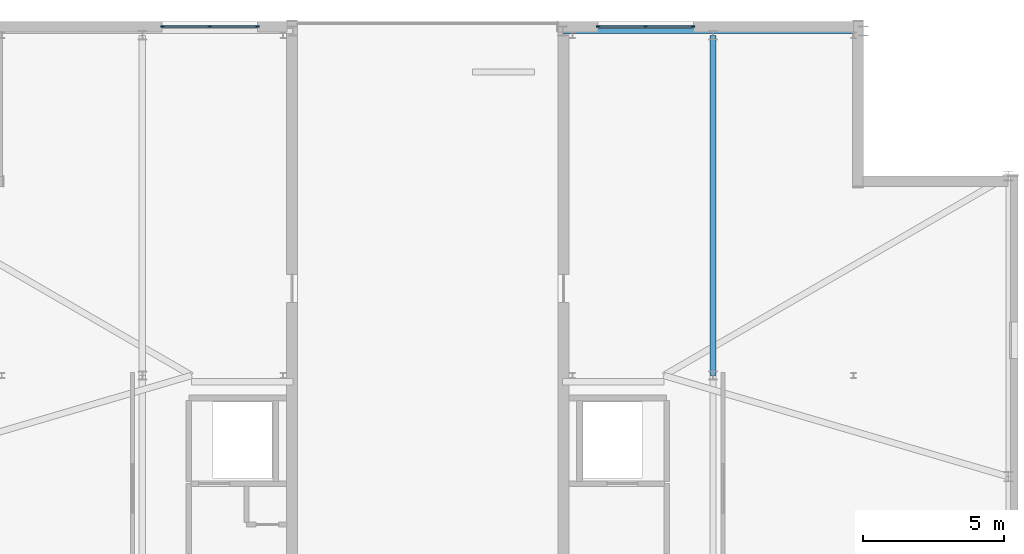
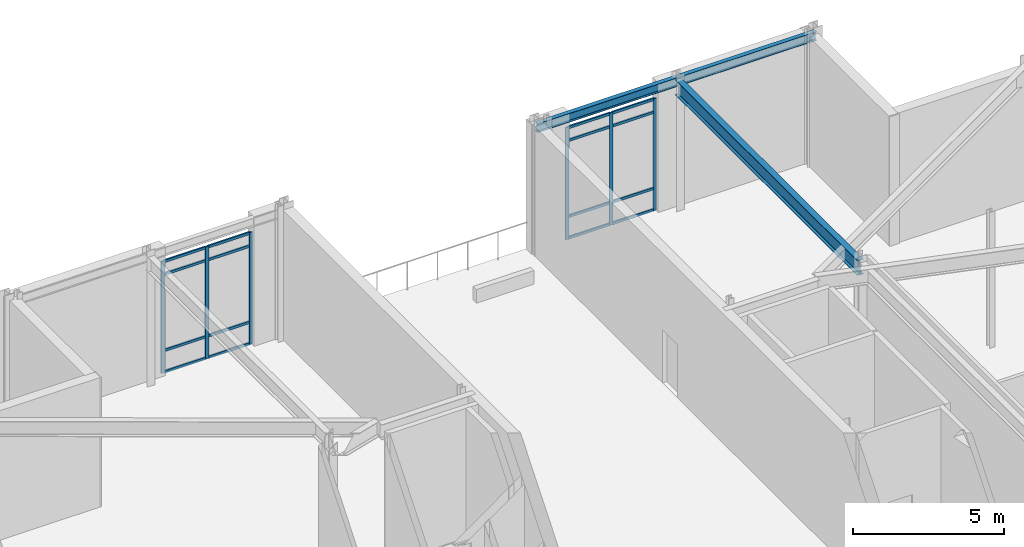
# One storey, part 10 of 16: 22 members, 2 beams, 2 elements without a shape of their own.
"""IFC4 building model written with IfcOpenShell, lengths in metres."""

from ifc_helpers import new_model, si_unit, direction, frame, origin, origin_2d, place, context, subcontext, project, spatial, rectangle, i_section, extrude, material, layer, layer_set, material_profile, profile_set, type_object, element, aggregate, save


model = new_model("IFC4")

# Units and contexts
model_context = context("Model", 3, precision=1e-05, world=origin(), true_north=direction((0.0, 1.0)))
body_context = subcontext(model_context, "Body", "Model", "MODEL_VIEW")
ifc_project = project(units=[si_unit("LENGTHUNIT", "METRE"), si_unit("AREAUNIT", "SQUARE_METRE"), si_unit("VOLUMEUNIT", "CUBIC_METRE"), si_unit("PLANEANGLEUNIT", "RADIAN"), si_unit("MASSUNIT", "GRAM", prefix="KILO")], contexts=[model_context])

# Site, building, storey
site_placement = place(None, origin())
site = spatial("IfcSite", under=ifc_project, at=site_placement, CompositionType="ELEMENT")
building_placement = place(site_placement, origin())
building = spatial("IfcBuilding", under=site, at=building_placement, Name="Cairnveth Concourse Tower", CompositionType="ELEMENT")
storey_placement = place(building_placement, frame((0.0, 0.0, 324.5)))
storey = spatial("IfcBuildingStorey", under=building, at=storey_placement, Name="L89", CompositionType="ELEMENT", Elevation=324.5)

# Curtain wall, members
ifc_material_1 = material(Name="Architectural Bronze Anodised Aluminium 6063-T6", Category="aluminium")
ifc_layer = layer(ifc_material_1, 0.320068359375)
ifc_layer_set = layer_set([ifc_layer], Name="Architectural Bronze Anodised Aluminium 6063-T6")
curtain_wall_type = type_object("IfcCurtainWallType", Name="CROWN LANTERN GABLE CURTAIN WALL", PredefinedType="USERDEFINED", material=ifc_layer_set)
curtain_wall_1_placement = place(storey_placement, origin())
curtain_wall_1 = element("IfcCurtainWall", 1, at=curtain_wall_1_placement, inside=storey, type_object=curtain_wall_type, Name="Curtain Wall CW-L89-CROWN-W5", ObjectType="SHOPFRONT GLAZING", PredefinedType="USERDEFINED")
ifc_material_profile_1 = material_profile(ifc_material_1, rectangle(XDim=0.06005859375, YDim=0.135009765625, at=origin_2d()), Name="AL-MUL-60x135")
ifc_profile_set_1 = profile_set([ifc_material_profile_1], Name="Architectural Bronze Anodised Aluminium 6063-T6")
member_type_1 = type_object("IfcMemberType", Name="BRONZE CURTAIN WALL MULLION AL-MUL-60x135", PredefinedType="MULLION", material=ifc_profile_set_1)
member_1_placement = place(storey_placement, frame((42.56494140625, 59.81005859375, 0.0), z_axis=(0.0, 0.0, 1.0), x_axis=(0.0, 1.0, 0.0)))
member_1 = element("IfcMember", 2, at=member_1_placement, type_object=member_type_1, Name="CWS6 mullion 1", PredefinedType="MULLION", context=body_context, shape_type="SweptSolid", body=[
    extrude(rectangle(XDim=0.06005859375, YDim=0.135009765625, at=origin_2d()), origin(), (0.0, 0.0, 1.0), 4.5380859375),
])
member_2_placement = place(storey_placement, frame((44.25, 59.81005859375, 0.0), z_axis=(0.0, 0.0, 1.0), x_axis=(0.0, 1.0, 0.0)))
member_2 = element("IfcMember", 3, at=member_2_placement, type_object=member_type_1, Name="CWS6 mullion 2", PredefinedType="MULLION", context=body_context, shape_type="SweptSolid", body=[
    extrude(rectangle(XDim=0.06005859375, YDim=0.135009765625, at=origin_2d()), origin(), (0.0, 0.0, 1.0), 4.5380859375),
])
member_3_placement = place(storey_placement, frame((45.93505859375, 59.81005859375, 0.0), z_axis=(0.0, 0.0, 1.0), x_axis=(0.0, 1.0, 0.0)))
member_3 = element("IfcMember", 4, at=member_3_placement, type_object=member_type_1, Name="CWS6 mullion 3", PredefinedType="MULLION", context=body_context, shape_type="SweptSolid", body=[
    extrude(rectangle(XDim=0.06005859375, YDim=0.135009765625, at=origin_2d()), origin(), (0.0, 0.0, 1.0), 4.5380859375),
])

curtain_wall_2_placement = place(storey_placement, origin())
curtain_wall_2 = element("IfcCurtainWall", 5, at=curtain_wall_2_placement, inside=storey, type_object=curtain_wall_type, Name="Curtain Wall CW-L89-CROWN-E1", ObjectType="SHOPFRONT GLAZING", PredefinedType="USERDEFINED")
member_4_placement = place(storey_placement, frame((58.06494140625, 59.81005859375, 0.0), z_axis=(0.0, 0.0, 1.0), x_axis=(0.0, 1.0, 0.0)))
member_4 = element("IfcMember", 6, at=member_4_placement, type_object=member_type_1, Name="CWS6 mullion 1", PredefinedType="MULLION", context=body_context, shape_type="SweptSolid", body=[
    extrude(rectangle(XDim=0.06005859375, YDim=0.135009765625, at=origin_2d()), origin(), (0.0, 0.0, 1.0), 4.5380859375),
])
member_5_placement = place(storey_placement, frame((59.75, 59.81005859375, 0.0), z_axis=(0.0, 0.0, 1.0), x_axis=(0.0, 1.0, 0.0)))
member_5 = element("IfcMember", 7, at=member_5_placement, type_object=member_type_1, Name="CWS6 mullion 2", PredefinedType="MULLION", context=body_context, shape_type="SweptSolid", body=[
    extrude(rectangle(XDim=0.06005859375, YDim=0.135009765625, at=origin_2d()), origin(), (0.0, 0.0, 1.0), 4.5380859375),
])
member_6_placement = place(storey_placement, frame((61.43505859375, 59.81005859375, 0.0), z_axis=(0.0, 0.0, 1.0), x_axis=(0.0, 1.0, 0.0)))
member_6 = element("IfcMember", 8, at=member_6_placement, type_object=member_type_1, Name="CWS6 mullion 3", PredefinedType="MULLION", context=body_context, shape_type="SweptSolid", body=[
    extrude(rectangle(XDim=0.06005859375, YDim=0.135009765625, at=origin_2d()), origin(), (0.0, 0.0, 1.0), 4.5380859375),
])

# Member
ifc_material_profile_2 = material_profile(ifc_material_1, rectangle(XDim=0.06005859375, YDim=0.10498046875, at=origin_2d()), Name="AL-TRN-60x105")
ifc_profile_set_2 = profile_set([ifc_material_profile_2], Name="Architectural Bronze Anodised Aluminium 6063-T6")
member_type_2 = type_object("IfcMemberType", Name="BRONZE CURTAIN WALL TRANSOM AL-TRN-60x105", PredefinedType="USERDEFINED", material=ifc_profile_set_2)
member_7_placement = place(storey_placement, frame((42.594970703125, 59.81005859375, 0.030029296875), z_axis=(1.0, 0.0, 0.0), x_axis=(0.0, 1.0, 0.0)))
member_7 = element("IfcMember", 9, at=member_7_placement, type_object=member_type_2, Name="CWS6 transom 1.1", ObjectType="TRANSOM", PredefinedType="USERDEFINED", context=body_context, shape_type="SweptSolid", body=[
    extrude(rectangle(XDim=0.06005859375, YDim=0.10498046875, at=origin_2d()), origin(), (0.0, 0.0, 1.0), 1.625),
])

member_8_placement = place(storey_placement, frame((42.594970703125, 59.81005859375, 0.89990234375), z_axis=(1.0, 0.0, 0.0), x_axis=(0.0, 1.0, 0.0)))
member_8 = element("IfcMember", 10, at=member_8_placement, type_object=member_type_2, Name="CWS6 transom 1.2", ObjectType="TRANSOM", PredefinedType="USERDEFINED", context=body_context, shape_type="SweptSolid", body=[
    extrude(rectangle(XDim=0.06005859375, YDim=0.10498046875, at=origin_2d()), origin(), (0.0, 0.0, 1.0), 1.625),
])

member_9_placement = place(storey_placement, frame((42.594970703125, 59.81005859375, 3.988037109375), z_axis=(1.0, 0.0, 0.0), x_axis=(0.0, 1.0, 0.0)))
member_9 = element("IfcMember", 11, at=member_9_placement, type_object=member_type_2, Name="CWS6 transom 1.3", ObjectType="TRANSOM", PredefinedType="USERDEFINED", context=body_context, shape_type="SweptSolid", body=[
    extrude(rectangle(XDim=0.06005859375, YDim=0.10498046875, at=origin_2d()), origin(), (0.0, 0.0, 1.0), 1.625),
])

member_10_placement = place(storey_placement, frame((42.594970703125, 59.81005859375, 4.508056640625), z_axis=(1.0, 0.0, 0.0), x_axis=(0.0, 1.0, 0.0)))
member_10 = element("IfcMember", 12, at=member_10_placement, type_object=member_type_2, Name="CWS6 transom 1.4", ObjectType="TRANSOM", PredefinedType="USERDEFINED", context=body_context, shape_type="SweptSolid", body=[
    extrude(rectangle(XDim=0.06005859375, YDim=0.10498046875, at=origin_2d()), origin(), (0.0, 0.0, 1.0), 1.625),
])

member_11_placement = place(storey_placement, frame((44.280029296875, 59.81005859375, 0.030029296875), z_axis=(1.0, 0.0, 0.0), x_axis=(0.0, 1.0, 0.0)))
member_11 = element("IfcMember", 13, at=member_11_placement, type_object=member_type_2, Name="CWS6 transom 2.1", ObjectType="TRANSOM", PredefinedType="USERDEFINED", context=body_context, shape_type="SweptSolid", body=[
    extrude(rectangle(XDim=0.06005859375, YDim=0.10498046875, at=origin_2d()), origin(), (0.0, 0.0, 1.0), 1.625),
])

member_12_placement = place(storey_placement, frame((44.280029296875, 59.81005859375, 0.89990234375), z_axis=(1.0, 0.0, 0.0), x_axis=(0.0, 1.0, 0.0)))
member_12 = element("IfcMember", 14, at=member_12_placement, type_object=member_type_2, Name="CWS6 transom 2.2", ObjectType="TRANSOM", PredefinedType="USERDEFINED", context=body_context, shape_type="SweptSolid", body=[
    extrude(rectangle(XDim=0.06005859375, YDim=0.10498046875, at=origin_2d()), origin(), (0.0, 0.0, 1.0), 1.625),
])

member_13_placement = place(storey_placement, frame((44.280029296875, 59.81005859375, 3.988037109375), z_axis=(1.0, 0.0, 0.0), x_axis=(0.0, 1.0, 0.0)))
member_13 = element("IfcMember", 15, at=member_13_placement, type_object=member_type_2, Name="CWS6 transom 2.3", ObjectType="TRANSOM", PredefinedType="USERDEFINED", context=body_context, shape_type="SweptSolid", body=[
    extrude(rectangle(XDim=0.06005859375, YDim=0.10498046875, at=origin_2d()), origin(), (0.0, 0.0, 1.0), 1.625),
])

member_14_placement = place(storey_placement, frame((44.280029296875, 59.81005859375, 4.508056640625), z_axis=(1.0, 0.0, 0.0), x_axis=(0.0, 1.0, 0.0)))
member_14 = element("IfcMember", 16, at=member_14_placement, type_object=member_type_2, Name="CWS6 transom 2.4", ObjectType="TRANSOM", PredefinedType="USERDEFINED", context=body_context, shape_type="SweptSolid", body=[
    extrude(rectangle(XDim=0.06005859375, YDim=0.10498046875, at=origin_2d()), origin(), (0.0, 0.0, 1.0), 1.625),
])

aggregate(curtain_wall_1, [member_1, member_2, member_3, member_7, member_8, member_9, member_10, member_11, member_12, member_13, member_14])

member_15_placement = place(storey_placement, frame((58.094970703125, 59.81005859375, 0.030029296875), z_axis=(1.0, 0.0, 0.0), x_axis=(0.0, 1.0, 0.0)))
member_15 = element("IfcMember", 17, at=member_15_placement, type_object=member_type_2, Name="CWS6 transom 1.1", ObjectType="TRANSOM", PredefinedType="USERDEFINED", context=body_context, shape_type="SweptSolid", body=[
    extrude(rectangle(XDim=0.06005859375, YDim=0.10498046875, at=origin_2d()), origin(), (0.0, 0.0, 1.0), 1.625),
])

member_16_placement = place(storey_placement, frame((58.094970703125, 59.81005859375, 0.89990234375), z_axis=(1.0, 0.0, 0.0), x_axis=(0.0, 1.0, 0.0)))
member_16 = element("IfcMember", 18, at=member_16_placement, type_object=member_type_2, Name="CWS6 transom 1.2", ObjectType="TRANSOM", PredefinedType="USERDEFINED", context=body_context, shape_type="SweptSolid", body=[
    extrude(rectangle(XDim=0.06005859375, YDim=0.10498046875, at=origin_2d()), origin(), (0.0, 0.0, 1.0), 1.625),
])

member_17_placement = place(storey_placement, frame((58.094970703125, 59.81005859375, 3.988037109375), z_axis=(1.0, 0.0, 0.0), x_axis=(0.0, 1.0, 0.0)))
member_17 = element("IfcMember", 19, at=member_17_placement, type_object=member_type_2, Name="CWS6 transom 1.3", ObjectType="TRANSOM", PredefinedType="USERDEFINED", context=body_context, shape_type="SweptSolid", body=[
    extrude(rectangle(XDim=0.06005859375, YDim=0.10498046875, at=origin_2d()), origin(), (0.0, 0.0, 1.0), 1.625),
])

member_18_placement = place(storey_placement, frame((58.094970703125, 59.81005859375, 4.508056640625), z_axis=(1.0, 0.0, 0.0), x_axis=(0.0, 1.0, 0.0)))
member_18 = element("IfcMember", 20, at=member_18_placement, type_object=member_type_2, Name="CWS6 transom 1.4", ObjectType="TRANSOM", PredefinedType="USERDEFINED", context=body_context, shape_type="SweptSolid", body=[
    extrude(rectangle(XDim=0.06005859375, YDim=0.10498046875, at=origin_2d()), origin(), (0.0, 0.0, 1.0), 1.625),
])

member_19_placement = place(storey_placement, frame((59.780029296875, 59.81005859375, 0.030029296875), z_axis=(1.0, 0.0, 0.0), x_axis=(0.0, 1.0, 0.0)))
member_19 = element("IfcMember", 21, at=member_19_placement, type_object=member_type_2, Name="CWS6 transom 2.1", ObjectType="TRANSOM", PredefinedType="USERDEFINED", context=body_context, shape_type="SweptSolid", body=[
    extrude(rectangle(XDim=0.06005859375, YDim=0.10498046875, at=origin_2d()), origin(), (0.0, 0.0, 1.0), 1.625),
])

member_20_placement = place(storey_placement, frame((59.780029296875, 59.81005859375, 0.89990234375), z_axis=(1.0, 0.0, 0.0), x_axis=(0.0, 1.0, 0.0)))
member_20 = element("IfcMember", 22, at=member_20_placement, type_object=member_type_2, Name="CWS6 transom 2.2", ObjectType="TRANSOM", PredefinedType="USERDEFINED", context=body_context, shape_type="SweptSolid", body=[
    extrude(rectangle(XDim=0.06005859375, YDim=0.10498046875, at=origin_2d()), origin(), (0.0, 0.0, 1.0), 1.625),
])

member_21_placement = place(storey_placement, frame((59.780029296875, 59.81005859375, 3.988037109375), z_axis=(1.0, 0.0, 0.0), x_axis=(0.0, 1.0, 0.0)))
member_21 = element("IfcMember", 23, at=member_21_placement, type_object=member_type_2, Name="CWS6 transom 2.3", ObjectType="TRANSOM", PredefinedType="USERDEFINED", context=body_context, shape_type="SweptSolid", body=[
    extrude(rectangle(XDim=0.06005859375, YDim=0.10498046875, at=origin_2d()), origin(), (0.0, 0.0, 1.0), 1.625),
])

member_22_placement = place(storey_placement, frame((59.780029296875, 59.81005859375, 4.508056640625), z_axis=(1.0, 0.0, 0.0), x_axis=(0.0, 1.0, 0.0)))
member_22 = element("IfcMember", 24, at=member_22_placement, type_object=member_type_2, Name="CWS6 transom 2.4", ObjectType="TRANSOM", PredefinedType="USERDEFINED", context=body_context, shape_type="SweptSolid", body=[
    extrude(rectangle(XDim=0.06005859375, YDim=0.10498046875, at=origin_2d()), origin(), (0.0, 0.0, 1.0), 1.625),
])

aggregate(curtain_wall_2, [member_4, member_5, member_6, member_15, member_16, member_17, member_18, member_19, member_20, member_21, member_22])

# Beams
ifc_material_2 = material(Name="Steel Grade 350", Category="steel")
ifc_material_profile_3 = material_profile(ifc_material_2, i_section(OverallWidth=0.22900390625, OverallDepth=0.612060546875, WebThickness=0.011962890625, FlangeThickness=0.01953125, FilletRadius=0.013916015625, at=origin_2d()), Name="610UB125")
ifc_profile_set_3 = profile_set([ifc_material_profile_3], Name="Steel Grade 350")
beam_type_1 = type_object("IfcBeamType", Name="ZONE 4 RADIAL GIRDER 610UB125", PredefinedType="BEAM", material=ifc_profile_set_3)
beam_1_placement = place(storey_placement, frame((62.14990234375, 47.39990234375, 4.944091796875), z_axis=(0.0, 1.0, 0.0), x_axis=(-1.0, 0.0, 0.0)))
element("IfcBeam", 25, at=beam_1_placement, inside=storey, type_object=beam_type_1, Name="Beam CB-EM3 L89", PredefinedType="BEAM", context=body_context, shape_type="SweptSolid", body=[
    extrude(i_section(OverallWidth=0.22900390625, OverallDepth=0.612060546875, WebThickness=0.011962890625, FlangeThickness=0.01953125, FilletRadius=0.013916015625, at=origin_2d()), origin(), (0.0, 0.0, 1.0), 12.10009765625),
])
ifc_material_profile_4 = material_profile(ifc_material_2, i_section(OverallWidth=0.172119140625, OverallDepth=0.35888671875, WebThickness=0.008056640625, FlangeThickness=0.012939453125, FilletRadius=0.010986328125, at=origin_2d()), Name="360UB56.7")
ifc_profile_set_4 = profile_set([ifc_material_profile_4], Name="Steel Grade 350")
beam_type_2 = type_object("IfcBeamType", Name="ZONE 4 SPANDREL BEAM 360UB56.7", PredefinedType="SPANDREL", material=ifc_profile_set_4)
beam_2_placement = place(storey_placement, frame((56.800048828125, 59.64990234375, 5.070556640625), z_axis=(1.0, 0.0, 0.0), x_axis=(0.0, 1.0, 0.0)))
element("IfcBeam", 26, at=beam_2_placement, inside=storey, type_object=beam_type_2, Name="Beam CSP-EN L89", PredefinedType="SPANDREL", context=body_context, shape_type="SweptSolid", body=[
    extrude(i_section(OverallWidth=0.172119140625, OverallDepth=0.35888671875, WebThickness=0.008056640625, FlangeThickness=0.012939453125, FilletRadius=0.010986328125, at=origin_2d()), origin(), (0.0, 0.0, 1.0), 10.699951171875),
])

save(model, "model.ifc")
